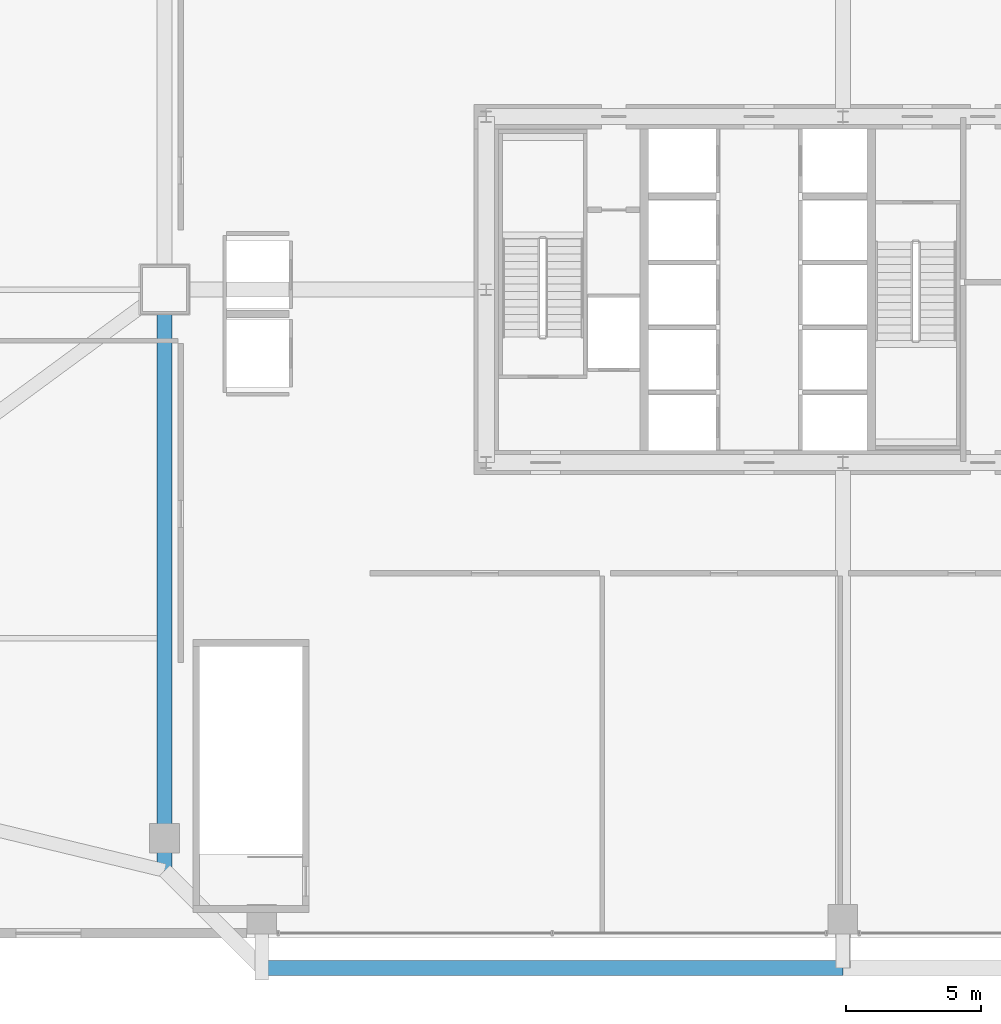
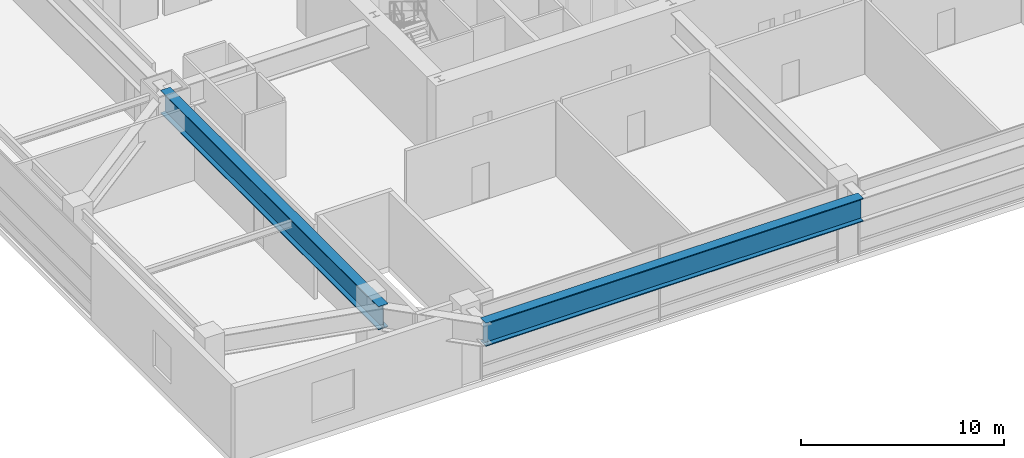
# One storey, part 6 of 34: 2 beams.
"""IFC4 building model written with IfcOpenShell, lengths in metres."""

from ifc_helpers import new_model, si_unit, direction, frame, origin, origin_2d, place, context, subcontext, project, spatial, i_section, extrude, source, transform, mapped, material, material_profile, profile_set, type_object, element, save


model = new_model("IFC4")

# Units and contexts
model_context = context("Model", 3, precision=1e-05, world=origin(), true_north=direction((0.0, 1.0)))
body_context = subcontext(model_context, "Body", "Model", "MODEL_VIEW")
ifc_project = project(units=[si_unit("LENGTHUNIT", "METRE"), si_unit("AREAUNIT", "SQUARE_METRE"), si_unit("VOLUMEUNIT", "CUBIC_METRE"), si_unit("PLANEANGLEUNIT", "RADIAN"), si_unit("MASSUNIT", "GRAM", prefix="KILO"), si_unit("THERMODYNAMICTEMPERATUREUNIT", "KELVIN"), si_unit("POWERUNIT", "WATT")], contexts=[model_context])

# Site, building, storey
site_placement = place(None, origin())
site = spatial("IfcSite", under=ifc_project, at=site_placement, CompositionType="ELEMENT")
building_placement = place(site_placement, origin())
building = spatial("IfcBuilding", under=site, at=building_placement, Name="Yuzanri Waterfront Tower", CompositionType="ELEMENT")
storey_placement = place(building_placement, frame((0.0, 0.0, 25.800048828125)))
storey = spatial("IfcBuildingStorey", under=building, at=storey_placement, Name="L06", CompositionType="ELEMENT", Elevation=25.800048828125)

# Beams
ifc_material = material(Name="Steel Q420GJC", Category="steel")
ifc_material_profile = material_profile(ifc_material, i_section(OverallWidth=0.550048828125, OverallDepth=1.39990234375, WebThickness=0.030029296875, FlangeThickness=0.054931640625, at=origin_2d()), Name="PG 1400x550x30x55")
ifc_profile_set = profile_set([ifc_material_profile], Name="Steel Q420GJC")
beam_type = type_object("IfcBeamType", Name="Tower Base Transfer Girder Q420GJC PG 1400x550", PredefinedType="USERDEFINED", material=ifc_profile_set)
shared_shape = source(origin(), body_context, "Body", "SweptSolid", [
    extrude(i_section(OverallWidth=0.550048828125, OverallDepth=1.39990234375, WebThickness=0.030029296875, FlangeThickness=0.054931640625, at=origin_2d()), origin(), (0.0, 0.0, 1.0), 21.5),
])
for number, where, z_axis, x_axis, name in (
    (1, (15.5, 0.699951171875, 3.800048828125), (1.0, 0.0, 0.0), (0.0, 1.0, 0.0), "L06 Tower Base Ring S1-S2"),
    (2, (11.89990234375, 25.800048828125, 3.800048828125), (0.0, -1.0, 0.0), (1.0, 0.0, 0.0), "L06 Tower Base Ring W2-W1"),
):
    element("IfcBeam", number, at=place(storey_placement, frame(where, z_axis=z_axis, x_axis=x_axis)), inside=storey, type_object=beam_type, Name=name, ObjectType="GIRDER", PredefinedType="USERDEFINED", context=body_context, shape_type="MappedRepresentation", body=[
        mapped(shared_shape, transform((0.0, 0.0, 0.0), scale=1.0)),
    ])

save(model, "model.ifc")
